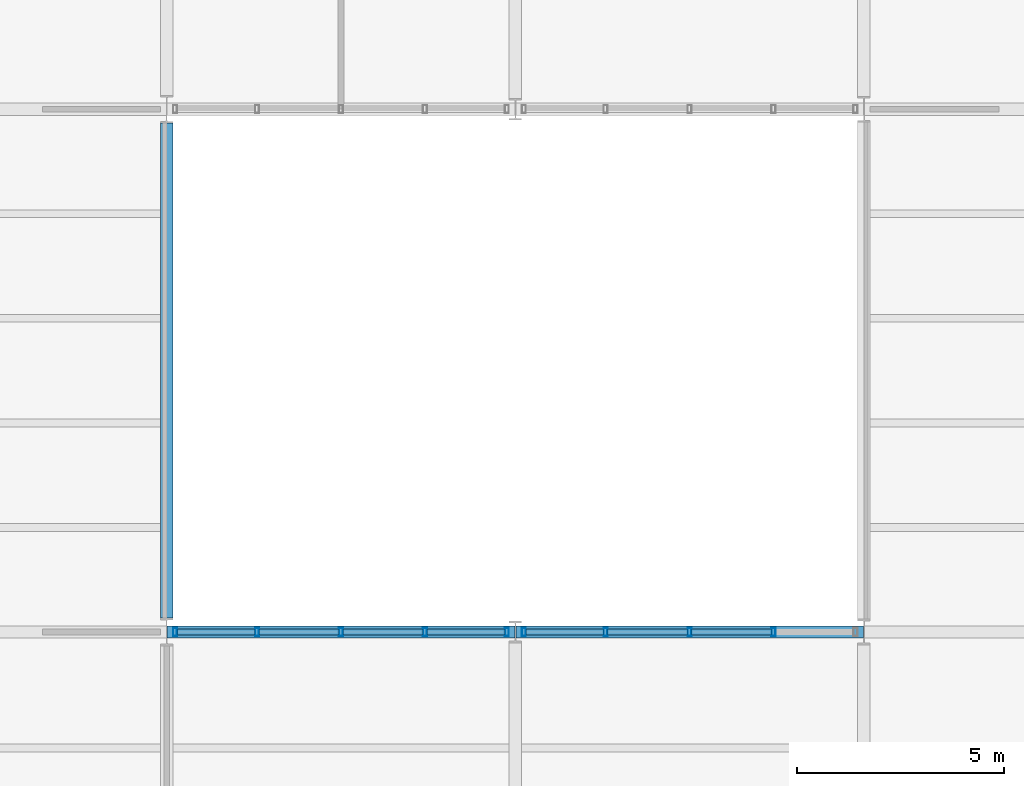
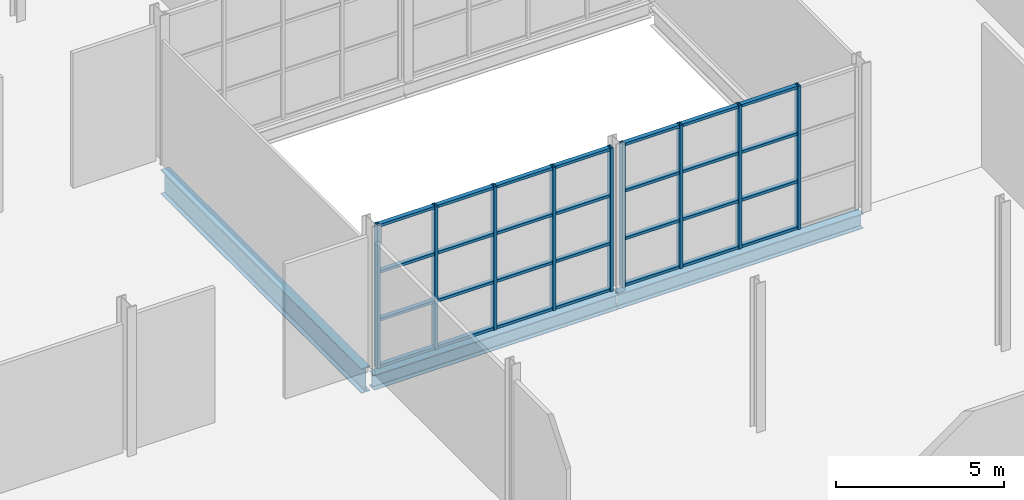
# One storey, part 10 of 57: 37 members, 3 beams, 2 elements without a shape of their own.
"""IFC4 building model written with IfcOpenShell, lengths in metres."""

from ifc_helpers import new_model, si_unit, direction, frame, origin, origin_2d, place, context, subcontext, project, spatial, hollow_rectangle, i_section, extrude, material, layer, layer_set, material_profile, profile_set, type_object, element, aggregate, save


model = new_model("IFC4")

# Units and contexts
model_context = context("Model", 3, precision=1e-05, world=origin(), true_north=direction((0.0, 1.0)))
body_context = subcontext(model_context, "Body", "Model", "MODEL_VIEW")
ifc_project = project(units=[si_unit("LENGTHUNIT", "METRE"), si_unit("AREAUNIT", "SQUARE_METRE"), si_unit("VOLUMEUNIT", "CUBIC_METRE"), si_unit("PLANEANGLEUNIT", "RADIAN"), si_unit("MASSUNIT", "GRAM", prefix="KILO")], contexts=[model_context])

# Site, building, storey
site_placement = place(None, origin())
site = spatial("IfcSite", under=ifc_project, at=site_placement, CompositionType="ELEMENT")
building_placement = place(site_placement, origin())
building = spatial("IfcBuilding", under=site, at=building_placement, Name="Galleria Vessillo Department Store", CompositionType="ELEMENT")
storey_placement = place(building_placement, frame((0.0, 0.0, 25.800048828125)))
storey = spatial("IfcBuildingStorey", under=building, at=storey_placement, Name="L05", CompositionType="ELEMENT", Elevation=25.800048828125)

# Curtain wall, members
ifc_material_1 = material(Name="Steel and fire-resisting glass curtain wall", Category="steel")
ifc_layer = layer(ifc_material_1, 0.199951171875)
ifc_layer_set = layer_set([ifc_layer], Name="Steel and fire-resisting glass curtain wall")
curtain_wall_type = type_object("IfcCurtainWallType", Name="Arcade fire-resisting glazed shopfront EI 120-Sa", PredefinedType="NOTDEFINED", material=ifc_layer_set)
curtain_wall_1_placement = place(storey_placement, origin())
curtain_wall_1 = element("IfcCurtainWall", 1, at=curtain_wall_1_placement, inside=storey, type_object=curtain_wall_type, Name="Arcade fire-resisting glazed shopfront EI 120-Sa AI-AW-S-L05-01", PredefinedType="NOTDEFINED")
ifc_material_2 = material(Name="Steel S355 J2", Category="steel")
ifc_material_profile_1 = material_profile(ifc_material_2, hollow_rectangle(XDim=0.199951171875, YDim=0.10009765625, WallThickness=0.008056640625, at=origin_2d()), Name="RHS 200x100x8")
ifc_profile_set_1 = profile_set([ifc_material_profile_1], Name="Steel S355 J2")
member_type_1 = type_object("IfcMemberType", Name="Steel mullion RHS 200x100x8", PredefinedType="MULLION", material=ifc_profile_set_1)
member_1_placement = place(storey_placement, frame((17.002685546875, 25.199951171875, 0.0), z_axis=(0.0, 0.0, 1.0), x_axis=(0.0, 1.0, 0.0)))
member_1 = element("IfcMember", 2, at=member_1_placement, type_object=member_type_1, Name="CW7 mullion 1", PredefinedType="MULLION", context=body_context, shape_type="SweptSolid", body=[
    extrude(hollow_rectangle(XDim=0.199951171875, YDim=0.10009765625, WallThickness=0.008056640625, at=origin_2d()), origin(), (0.0, 0.0, 1.0), 5.199951171875),
])
member_2_placement = place(storey_placement, frame((18.97607421875, 25.199951171875, 0.0), z_axis=(0.0, 0.0, 1.0), x_axis=(0.0, 1.0, 0.0)))
member_2 = element("IfcMember", 3, at=member_2_placement, type_object=member_type_1, Name="CW7 mullion 2", PredefinedType="MULLION", context=body_context, shape_type="SweptSolid", body=[
    extrude(hollow_rectangle(XDim=0.199951171875, YDim=0.10009765625, WallThickness=0.008056640625, at=origin_2d()), origin(), (0.0, 0.0, 1.0), 5.199951171875),
])
member_3_placement = place(storey_placement, frame((20.999755859375, 25.199951171875, 0.0), z_axis=(0.0, 0.0, 1.0), x_axis=(0.0, 1.0, 0.0)))
member_3 = element("IfcMember", 4, at=member_3_placement, type_object=member_type_1, Name="CW7 mullion 3", PredefinedType="MULLION", context=body_context, shape_type="SweptSolid", body=[
    extrude(hollow_rectangle(XDim=0.199951171875, YDim=0.10009765625, WallThickness=0.008056640625, at=origin_2d()), origin(), (0.0, 0.0, 1.0), 5.199951171875),
])
member_4_placement = place(storey_placement, frame((23.0234375, 25.199951171875, 0.0), z_axis=(0.0, 0.0, 1.0), x_axis=(0.0, 1.0, 0.0)))
member_4 = element("IfcMember", 5, at=member_4_placement, type_object=member_type_1, Name="CW7 mullion 4", PredefinedType="MULLION", context=body_context, shape_type="SweptSolid", body=[
    extrude(hollow_rectangle(XDim=0.199951171875, YDim=0.10009765625, WallThickness=0.008056640625, at=origin_2d()), origin(), (0.0, 0.0, 1.0), 5.199951171875),
])
member_5_placement = place(storey_placement, frame((24.996826171875, 25.199951171875, 0.0), z_axis=(0.0, 0.0, 1.0), x_axis=(0.0, 1.0, 0.0)))
member_5 = element("IfcMember", 6, at=member_5_placement, type_object=member_type_1, Name="CW7 mullion 5", PredefinedType="MULLION", context=body_context, shape_type="SweptSolid", body=[
    extrude(hollow_rectangle(XDim=0.199951171875, YDim=0.10009765625, WallThickness=0.008056640625, at=origin_2d()), origin(), (0.0, 0.0, 1.0), 5.199951171875),
])

curtain_wall_2_placement = place(storey_placement, origin())
curtain_wall_2 = element("IfcCurtainWall", 7, at=curtain_wall_2_placement, inside=storey, type_object=curtain_wall_type, Name="Arcade fire-resisting glazed shopfront EI 120-Sa AI-AW-S-L05-02", PredefinedType="NOTDEFINED")
member_6_placement = place(storey_placement, frame((25.403076171875, 25.199951171875, 0.0), z_axis=(0.0, 0.0, 1.0), x_axis=(0.0, 1.0, 0.0)))
member_6 = element("IfcMember", 8, at=member_6_placement, type_object=member_type_1, Name="CW7 mullion 1", PredefinedType="MULLION", context=body_context, shape_type="SweptSolid", body=[
    extrude(hollow_rectangle(XDim=0.199951171875, YDim=0.10009765625, WallThickness=0.008056640625, at=origin_2d()), origin(), (0.0, 0.0, 1.0), 5.199951171875),
])
member_7_placement = place(storey_placement, frame((27.376708984375, 25.199951171875, 0.0), z_axis=(0.0, 0.0, 1.0), x_axis=(0.0, 1.0, 0.0)))
member_7 = element("IfcMember", 9, at=member_7_placement, type_object=member_type_1, Name="CW7 mullion 2", PredefinedType="MULLION", context=body_context, shape_type="SweptSolid", body=[
    extrude(hollow_rectangle(XDim=0.199951171875, YDim=0.10009765625, WallThickness=0.008056640625, at=origin_2d()), origin(), (0.0, 0.0, 1.0), 5.199951171875),
])
member_8_placement = place(storey_placement, frame((29.400390625, 25.199951171875, 0.0), z_axis=(0.0, 0.0, 1.0), x_axis=(0.0, 1.0, 0.0)))
member_8 = element("IfcMember", 10, at=member_8_placement, type_object=member_type_1, Name="CW7 mullion 3", PredefinedType="MULLION", context=body_context, shape_type="SweptSolid", body=[
    extrude(hollow_rectangle(XDim=0.199951171875, YDim=0.10009765625, WallThickness=0.008056640625, at=origin_2d()), origin(), (0.0, 0.0, 1.0), 5.199951171875),
])
member_9_placement = place(storey_placement, frame((31.423828125, 25.199951171875, 0.0), z_axis=(0.0, 0.0, 1.0), x_axis=(0.0, 1.0, 0.0)))
member_9 = element("IfcMember", 11, at=member_9_placement, type_object=member_type_1, Name="CW7 mullion 4", PredefinedType="MULLION", context=body_context, shape_type="SweptSolid", body=[
    extrude(hollow_rectangle(XDim=0.199951171875, YDim=0.10009765625, WallThickness=0.008056640625, at=origin_2d()), origin(), (0.0, 0.0, 1.0), 5.199951171875),
])

# Member
ifc_material_3 = material(Name="Steel S355 J2", Category="steel")
ifc_material_profile_2 = material_profile(ifc_material_3, hollow_rectangle(XDim=0.14990234375, YDim=0.10009765625, WallThickness=0.008056640625, at=origin_2d()), Name="RHS 150x100x8")
ifc_profile_set_2 = profile_set([ifc_material_profile_2], Name="Steel S355 J2")
member_type_2 = type_object("IfcMemberType", Name="Steel transom RHS 150x100x8", PredefinedType="USERDEFINED", material=ifc_profile_set_2)
member_10_placement = place(storey_placement, frame((17.052734375, 25.199951171875, 0.050048828125), z_axis=(1.0, 0.0, 0.0), x_axis=(0.0, 1.0, 0.0)))
member_10 = element("IfcMember", 12, at=member_10_placement, type_object=member_type_2, Name="CW7 transom 1.1", ObjectType="TRANSOM", PredefinedType="USERDEFINED", context=body_context, shape_type="SweptSolid", body=[
    extrude(hollow_rectangle(XDim=0.14990234375, YDim=0.10009765625, WallThickness=0.008056640625, at=origin_2d()), origin(), (0.0, 0.0, 1.0), 1.87353515625),
])

member_11_placement = place(storey_placement, frame((17.052734375, 25.199951171875, 1.7333984375), z_axis=(1.0, 0.0, 0.0), x_axis=(0.0, 1.0, 0.0)))
member_11 = element("IfcMember", 13, at=member_11_placement, type_object=member_type_2, Name="CW7 transom 1.2", ObjectType="TRANSOM", PredefinedType="USERDEFINED", context=body_context, shape_type="SweptSolid", body=[
    extrude(hollow_rectangle(XDim=0.14990234375, YDim=0.10009765625, WallThickness=0.008056640625, at=origin_2d()), origin(), (0.0, 0.0, 1.0), 1.87353515625),
])

member_12_placement = place(storey_placement, frame((17.052734375, 25.199951171875, 3.466552734375), z_axis=(1.0, 0.0, 0.0), x_axis=(0.0, 1.0, 0.0)))
member_12 = element("IfcMember", 14, at=member_12_placement, type_object=member_type_2, Name="CW7 transom 1.3", ObjectType="TRANSOM", PredefinedType="USERDEFINED", context=body_context, shape_type="SweptSolid", body=[
    extrude(hollow_rectangle(XDim=0.14990234375, YDim=0.10009765625, WallThickness=0.008056640625, at=origin_2d()), origin(), (0.0, 0.0, 1.0), 1.87353515625),
])

member_13_placement = place(storey_placement, frame((17.052734375, 25.199951171875, 5.14990234375), z_axis=(1.0, 0.0, 0.0), x_axis=(0.0, 1.0, 0.0)))
member_13 = element("IfcMember", 15, at=member_13_placement, type_object=member_type_2, Name="CW7 transom 1.4", ObjectType="TRANSOM", PredefinedType="USERDEFINED", context=body_context, shape_type="SweptSolid", body=[
    extrude(hollow_rectangle(XDim=0.14990234375, YDim=0.10009765625, WallThickness=0.008056640625, at=origin_2d()), origin(), (0.0, 0.0, 1.0), 1.87353515625),
])

member_14_placement = place(storey_placement, frame((19.026123046875, 25.199951171875, 0.050048828125), z_axis=(1.0, 0.0, 0.0), x_axis=(0.0, 1.0, 0.0)))
member_14 = element("IfcMember", 16, at=member_14_placement, type_object=member_type_2, Name="CW7 transom 2.1", ObjectType="TRANSOM", PredefinedType="USERDEFINED", context=body_context, shape_type="SweptSolid", body=[
    extrude(hollow_rectangle(XDim=0.14990234375, YDim=0.10009765625, WallThickness=0.008056640625, at=origin_2d()), origin(), (0.0, 0.0, 1.0), 1.923583984375),
])

member_15_placement = place(storey_placement, frame((19.026123046875, 25.199951171875, 1.7333984375), z_axis=(1.0, 0.0, 0.0), x_axis=(0.0, 1.0, 0.0)))
member_15 = element("IfcMember", 17, at=member_15_placement, type_object=member_type_2, Name="CW7 transom 2.2", ObjectType="TRANSOM", PredefinedType="USERDEFINED", context=body_context, shape_type="SweptSolid", body=[
    extrude(hollow_rectangle(XDim=0.14990234375, YDim=0.10009765625, WallThickness=0.008056640625, at=origin_2d()), origin(), (0.0, 0.0, 1.0), 1.923583984375),
])

member_16_placement = place(storey_placement, frame((19.026123046875, 25.199951171875, 3.466552734375), z_axis=(1.0, 0.0, 0.0), x_axis=(0.0, 1.0, 0.0)))
member_16 = element("IfcMember", 18, at=member_16_placement, type_object=member_type_2, Name="CW7 transom 2.3", ObjectType="TRANSOM", PredefinedType="USERDEFINED", context=body_context, shape_type="SweptSolid", body=[
    extrude(hollow_rectangle(XDim=0.14990234375, YDim=0.10009765625, WallThickness=0.008056640625, at=origin_2d()), origin(), (0.0, 0.0, 1.0), 1.923583984375),
])

member_17_placement = place(storey_placement, frame((19.026123046875, 25.199951171875, 5.14990234375), z_axis=(1.0, 0.0, 0.0), x_axis=(0.0, 1.0, 0.0)))
member_17 = element("IfcMember", 19, at=member_17_placement, type_object=member_type_2, Name="CW7 transom 2.4", ObjectType="TRANSOM", PredefinedType="USERDEFINED", context=body_context, shape_type="SweptSolid", body=[
    extrude(hollow_rectangle(XDim=0.14990234375, YDim=0.10009765625, WallThickness=0.008056640625, at=origin_2d()), origin(), (0.0, 0.0, 1.0), 1.923583984375),
])

member_18_placement = place(storey_placement, frame((21.0498046875, 25.199951171875, 0.050048828125), z_axis=(1.0, 0.0, 0.0), x_axis=(0.0, 1.0, 0.0)))
member_18 = element("IfcMember", 20, at=member_18_placement, type_object=member_type_2, Name="CW7 transom 3.1", ObjectType="TRANSOM", PredefinedType="USERDEFINED", context=body_context, shape_type="SweptSolid", body=[
    extrude(hollow_rectangle(XDim=0.14990234375, YDim=0.10009765625, WallThickness=0.008056640625, at=origin_2d()), origin(), (0.0, 0.0, 1.0), 1.923583984375),
])

member_19_placement = place(storey_placement, frame((21.0498046875, 25.199951171875, 1.7333984375), z_axis=(1.0, 0.0, 0.0), x_axis=(0.0, 1.0, 0.0)))
member_19 = element("IfcMember", 21, at=member_19_placement, type_object=member_type_2, Name="CW7 transom 3.2", ObjectType="TRANSOM", PredefinedType="USERDEFINED", context=body_context, shape_type="SweptSolid", body=[
    extrude(hollow_rectangle(XDim=0.14990234375, YDim=0.10009765625, WallThickness=0.008056640625, at=origin_2d()), origin(), (0.0, 0.0, 1.0), 1.923583984375),
])

member_20_placement = place(storey_placement, frame((21.0498046875, 25.199951171875, 3.466552734375), z_axis=(1.0, 0.0, 0.0), x_axis=(0.0, 1.0, 0.0)))
member_20 = element("IfcMember", 22, at=member_20_placement, type_object=member_type_2, Name="CW7 transom 3.3", ObjectType="TRANSOM", PredefinedType="USERDEFINED", context=body_context, shape_type="SweptSolid", body=[
    extrude(hollow_rectangle(XDim=0.14990234375, YDim=0.10009765625, WallThickness=0.008056640625, at=origin_2d()), origin(), (0.0, 0.0, 1.0), 1.923583984375),
])

member_21_placement = place(storey_placement, frame((21.0498046875, 25.199951171875, 5.14990234375), z_axis=(1.0, 0.0, 0.0), x_axis=(0.0, 1.0, 0.0)))
member_21 = element("IfcMember", 23, at=member_21_placement, type_object=member_type_2, Name="CW7 transom 3.4", ObjectType="TRANSOM", PredefinedType="USERDEFINED", context=body_context, shape_type="SweptSolid", body=[
    extrude(hollow_rectangle(XDim=0.14990234375, YDim=0.10009765625, WallThickness=0.008056640625, at=origin_2d()), origin(), (0.0, 0.0, 1.0), 1.923583984375),
])

member_22_placement = place(storey_placement, frame((23.0732421875, 25.199951171875, 0.050048828125), z_axis=(1.0, 0.0, 0.0), x_axis=(0.0, 1.0, 0.0)))
member_22 = element("IfcMember", 24, at=member_22_placement, type_object=member_type_2, Name="CW7 transom 4.1", ObjectType="TRANSOM", PredefinedType="USERDEFINED", context=body_context, shape_type="SweptSolid", body=[
    extrude(hollow_rectangle(XDim=0.14990234375, YDim=0.10009765625, WallThickness=0.008056640625, at=origin_2d()), origin(), (0.0, 0.0, 1.0), 1.87353515625),
])

member_23_placement = place(storey_placement, frame((23.0732421875, 25.199951171875, 1.7333984375), z_axis=(1.0, 0.0, 0.0), x_axis=(0.0, 1.0, 0.0)))
member_23 = element("IfcMember", 25, at=member_23_placement, type_object=member_type_2, Name="CW7 transom 4.2", ObjectType="TRANSOM", PredefinedType="USERDEFINED", context=body_context, shape_type="SweptSolid", body=[
    extrude(hollow_rectangle(XDim=0.14990234375, YDim=0.10009765625, WallThickness=0.008056640625, at=origin_2d()), origin(), (0.0, 0.0, 1.0), 1.87353515625),
])

member_24_placement = place(storey_placement, frame((23.0732421875, 25.199951171875, 3.466552734375), z_axis=(1.0, 0.0, 0.0), x_axis=(0.0, 1.0, 0.0)))
member_24 = element("IfcMember", 26, at=member_24_placement, type_object=member_type_2, Name="CW7 transom 4.3", ObjectType="TRANSOM", PredefinedType="USERDEFINED", context=body_context, shape_type="SweptSolid", body=[
    extrude(hollow_rectangle(XDim=0.14990234375, YDim=0.10009765625, WallThickness=0.008056640625, at=origin_2d()), origin(), (0.0, 0.0, 1.0), 1.87353515625),
])

member_25_placement = place(storey_placement, frame((23.0732421875, 25.199951171875, 5.14990234375), z_axis=(1.0, 0.0, 0.0), x_axis=(0.0, 1.0, 0.0)))
member_25 = element("IfcMember", 27, at=member_25_placement, type_object=member_type_2, Name="CW7 transom 4.4", ObjectType="TRANSOM", PredefinedType="USERDEFINED", context=body_context, shape_type="SweptSolid", body=[
    extrude(hollow_rectangle(XDim=0.14990234375, YDim=0.10009765625, WallThickness=0.008056640625, at=origin_2d()), origin(), (0.0, 0.0, 1.0), 1.87353515625),
])

aggregate(curtain_wall_1, [member_1, member_2, member_3, member_4, member_5, member_10, member_11, member_12, member_13, member_14, member_15, member_16, member_17, member_18, member_19, member_20, member_21, member_22, member_23, member_24, member_25])

member_26_placement = place(storey_placement, frame((25.453125, 25.199951171875, 0.050048828125), z_axis=(1.0, 0.0, 0.0), x_axis=(0.0, 1.0, 0.0)))
member_26 = element("IfcMember", 28, at=member_26_placement, type_object=member_type_2, Name="CW7 transom 1.1", ObjectType="TRANSOM", PredefinedType="USERDEFINED", context=body_context, shape_type="SweptSolid", body=[
    extrude(hollow_rectangle(XDim=0.14990234375, YDim=0.10009765625, WallThickness=0.008056640625, at=origin_2d()), origin(), (0.0, 0.0, 1.0), 1.87353515625),
])

member_27_placement = place(storey_placement, frame((25.453125, 25.199951171875, 1.7333984375), z_axis=(1.0, 0.0, 0.0), x_axis=(0.0, 1.0, 0.0)))
member_27 = element("IfcMember", 29, at=member_27_placement, type_object=member_type_2, Name="CW7 transom 1.2", ObjectType="TRANSOM", PredefinedType="USERDEFINED", context=body_context, shape_type="SweptSolid", body=[
    extrude(hollow_rectangle(XDim=0.14990234375, YDim=0.10009765625, WallThickness=0.008056640625, at=origin_2d()), origin(), (0.0, 0.0, 1.0), 1.87353515625),
])

member_28_placement = place(storey_placement, frame((25.453125, 25.199951171875, 3.466552734375), z_axis=(1.0, 0.0, 0.0), x_axis=(0.0, 1.0, 0.0)))
member_28 = element("IfcMember", 30, at=member_28_placement, type_object=member_type_2, Name="CW7 transom 1.3", ObjectType="TRANSOM", PredefinedType="USERDEFINED", context=body_context, shape_type="SweptSolid", body=[
    extrude(hollow_rectangle(XDim=0.14990234375, YDim=0.10009765625, WallThickness=0.008056640625, at=origin_2d()), origin(), (0.0, 0.0, 1.0), 1.87353515625),
])

member_29_placement = place(storey_placement, frame((25.453125, 25.199951171875, 5.14990234375), z_axis=(1.0, 0.0, 0.0), x_axis=(0.0, 1.0, 0.0)))
member_29 = element("IfcMember", 31, at=member_29_placement, type_object=member_type_2, Name="CW7 transom 1.4", ObjectType="TRANSOM", PredefinedType="USERDEFINED", context=body_context, shape_type="SweptSolid", body=[
    extrude(hollow_rectangle(XDim=0.14990234375, YDim=0.10009765625, WallThickness=0.008056640625, at=origin_2d()), origin(), (0.0, 0.0, 1.0), 1.87353515625),
])

member_30_placement = place(storey_placement, frame((27.4267578125, 25.199951171875, 0.050048828125), z_axis=(1.0, 0.0, 0.0), x_axis=(0.0, 1.0, 0.0)))
member_30 = element("IfcMember", 32, at=member_30_placement, type_object=member_type_2, Name="CW7 transom 2.1", ObjectType="TRANSOM", PredefinedType="USERDEFINED", context=body_context, shape_type="SweptSolid", body=[
    extrude(hollow_rectangle(XDim=0.14990234375, YDim=0.10009765625, WallThickness=0.008056640625, at=origin_2d()), origin(), (0.0, 0.0, 1.0), 1.923583984375),
])

member_31_placement = place(storey_placement, frame((27.4267578125, 25.199951171875, 1.7333984375), z_axis=(1.0, 0.0, 0.0), x_axis=(0.0, 1.0, 0.0)))
member_31 = element("IfcMember", 33, at=member_31_placement, type_object=member_type_2, Name="CW7 transom 2.2", ObjectType="TRANSOM", PredefinedType="USERDEFINED", context=body_context, shape_type="SweptSolid", body=[
    extrude(hollow_rectangle(XDim=0.14990234375, YDim=0.10009765625, WallThickness=0.008056640625, at=origin_2d()), origin(), (0.0, 0.0, 1.0), 1.923583984375),
])

member_32_placement = place(storey_placement, frame((27.4267578125, 25.199951171875, 3.466552734375), z_axis=(1.0, 0.0, 0.0), x_axis=(0.0, 1.0, 0.0)))
member_32 = element("IfcMember", 34, at=member_32_placement, type_object=member_type_2, Name="CW7 transom 2.3", ObjectType="TRANSOM", PredefinedType="USERDEFINED", context=body_context, shape_type="SweptSolid", body=[
    extrude(hollow_rectangle(XDim=0.14990234375, YDim=0.10009765625, WallThickness=0.008056640625, at=origin_2d()), origin(), (0.0, 0.0, 1.0), 1.923583984375),
])

member_33_placement = place(storey_placement, frame((27.4267578125, 25.199951171875, 5.14990234375), z_axis=(1.0, 0.0, 0.0), x_axis=(0.0, 1.0, 0.0)))
member_33 = element("IfcMember", 35, at=member_33_placement, type_object=member_type_2, Name="CW7 transom 2.4", ObjectType="TRANSOM", PredefinedType="USERDEFINED", context=body_context, shape_type="SweptSolid", body=[
    extrude(hollow_rectangle(XDim=0.14990234375, YDim=0.10009765625, WallThickness=0.008056640625, at=origin_2d()), origin(), (0.0, 0.0, 1.0), 1.923583984375),
])

member_34_placement = place(storey_placement, frame((29.4501953125, 25.199951171875, 0.050048828125), z_axis=(1.0, 0.0, 0.0), x_axis=(0.0, 1.0, 0.0)))
member_34 = element("IfcMember", 36, at=member_34_placement, type_object=member_type_2, Name="CW7 transom 3.1", ObjectType="TRANSOM", PredefinedType="USERDEFINED", context=body_context, shape_type="SweptSolid", body=[
    extrude(hollow_rectangle(XDim=0.14990234375, YDim=0.10009765625, WallThickness=0.008056640625, at=origin_2d()), origin(), (0.0, 0.0, 1.0), 1.923583984375),
])

member_35_placement = place(storey_placement, frame((29.4501953125, 25.199951171875, 1.7333984375), z_axis=(1.0, 0.0, 0.0), x_axis=(0.0, 1.0, 0.0)))
member_35 = element("IfcMember", 37, at=member_35_placement, type_object=member_type_2, Name="CW7 transom 3.2", ObjectType="TRANSOM", PredefinedType="USERDEFINED", context=body_context, shape_type="SweptSolid", body=[
    extrude(hollow_rectangle(XDim=0.14990234375, YDim=0.10009765625, WallThickness=0.008056640625, at=origin_2d()), origin(), (0.0, 0.0, 1.0), 1.923583984375),
])

member_36_placement = place(storey_placement, frame((29.4501953125, 25.199951171875, 3.466552734375), z_axis=(1.0, 0.0, 0.0), x_axis=(0.0, 1.0, 0.0)))
member_36 = element("IfcMember", 38, at=member_36_placement, type_object=member_type_2, Name="CW7 transom 3.3", ObjectType="TRANSOM", PredefinedType="USERDEFINED", context=body_context, shape_type="SweptSolid", body=[
    extrude(hollow_rectangle(XDim=0.14990234375, YDim=0.10009765625, WallThickness=0.008056640625, at=origin_2d()), origin(), (0.0, 0.0, 1.0), 1.923583984375),
])

member_37_placement = place(storey_placement, frame((29.4501953125, 25.199951171875, 5.14990234375), z_axis=(1.0, 0.0, 0.0), x_axis=(0.0, 1.0, 0.0)))
member_37 = element("IfcMember", 39, at=member_37_placement, type_object=member_type_2, Name="CW7 transom 3.4", ObjectType="TRANSOM", PredefinedType="USERDEFINED", context=body_context, shape_type="SweptSolid", body=[
    extrude(hollow_rectangle(XDim=0.14990234375, YDim=0.10009765625, WallThickness=0.008056640625, at=origin_2d()), origin(), (0.0, 0.0, 1.0), 1.923583984375),
])

aggregate(curtain_wall_2, [member_6, member_7, member_8, member_9, member_26, member_27, member_28, member_29, member_30, member_31, member_32, member_33, member_34, member_35, member_36, member_37])

# Beams
ifc_material_4 = material(Name="Steel S355 J2", Category="steel")
ifc_material_profile_3 = material_profile(ifc_material_4, i_section(OverallWidth=0.300048828125, OverallDepth=0.5400390625, WebThickness=0.012451171875, FlangeThickness=0.02392578125, FilletRadius=0.027099609375, at=origin_2d()), Name="HEA 550")
ifc_profile_set_3 = profile_set([ifc_material_profile_3], Name="Steel S355 J2")
beam_type_1 = type_object("IfcBeamType", Name="Trimmer beam HEA 550", PredefinedType="BEAM", material=ifc_profile_set_3)
beam_1_placement = place(storey_placement, frame((16.810546875, 25.199951171875, -0.419921875), z_axis=(1.0, 0.0, 0.0), x_axis=(0.0, 1.0, 0.0)))
element("IfcBeam", 40, at=beam_1_placement, inside=storey, type_object=beam_type_1, Name="S-BM-L05-TR-x25200-16811", PredefinedType="BEAM", context=body_context, shape_type="SweptSolid", body=[
    extrude(i_section(OverallWidth=0.300048828125, OverallDepth=0.5400390625, WebThickness=0.012451171875, FlangeThickness=0.02392578125, FilletRadius=0.027099609375, at=origin_2d()), origin(), (0.0, 0.0, 1.0), 8.37890625),
])
beam_2_placement = place(storey_placement, frame((25.210693359375, 25.199951171875, -0.419921875), z_axis=(1.0, 0.0, 0.0), x_axis=(0.0, 1.0, 0.0)))
element("IfcBeam", 41, at=beam_2_placement, inside=storey, type_object=beam_type_1, Name="S-BM-L05-TR-x25200-25211", PredefinedType="BEAM", context=body_context, shape_type="SweptSolid", body=[
    extrude(i_section(OverallWidth=0.300048828125, OverallDepth=0.5400390625, WebThickness=0.012451171875, FlangeThickness=0.02392578125, FilletRadius=0.027099609375, at=origin_2d()), origin(), (0.0, 0.0, 1.0), 8.378662109375),
])
ifc_material_5 = material(Name="Steel S355 J2", Category="steel")
ifc_material_profile_4 = material_profile(ifc_material_5, i_section(OverallWidth=0.300048828125, OverallDepth=0.889892578125, WebThickness=0.01611328125, FlangeThickness=0.030029296875, FilletRadius=0.030029296875, at=origin_2d()), Name="HEA 900")
ifc_profile_set_4 = profile_set([ifc_material_profile_4], Name="Steel S355 J2")
beam_type_2 = type_object("IfcBeamType", Name="Trimmer beam HEA 900", PredefinedType="BEAM", material=ifc_profile_set_4)
beam_3_placement = place(storey_placement, frame((16.800048828125, 25.5341796875, -0.594970703125), z_axis=(0.0, 1.0, 0.0), x_axis=(-1.0, 0.0, 0.0)))
element("IfcBeam", 42, at=beam_3_placement, inside=storey, type_object=beam_type_2, Name="S-BM-L05-TR-y16800-25534", PredefinedType="BEAM", context=body_context, shape_type="SweptSolid", body=[
    extrude(i_section(OverallWidth=0.300048828125, OverallDepth=0.889892578125, WebThickness=0.01611328125, FlangeThickness=0.030029296875, FilletRadius=0.030029296875, at=origin_2d()), origin(), (0.0, 0.0, 1.0), 11.931640625),
])

save(model, "model.ifc")
